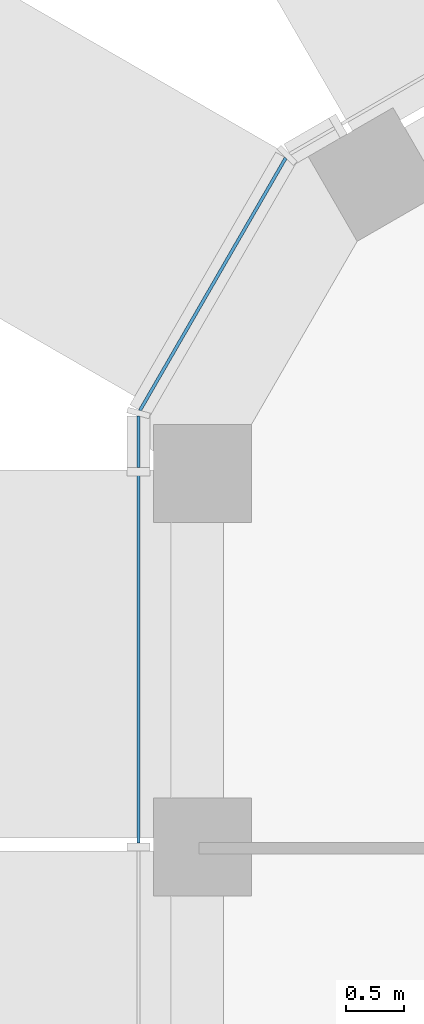
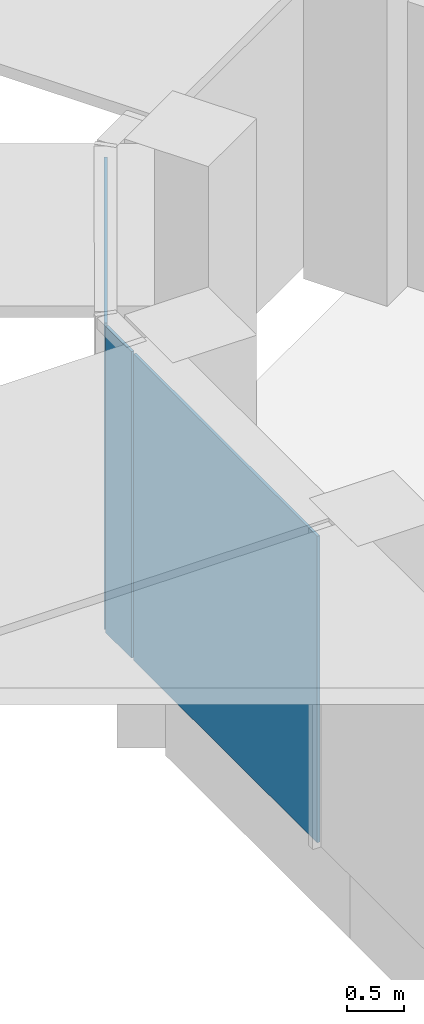
# One storey, part 8 of 17: 3 plates, 2 elements without a shape of their own.
"""IFC4 building model written with IfcOpenShell, lengths in metres."""

from ifc_helpers import new_model, si_unit, direction, frame, origin, origin_2d, place, context, subcontext, project, spatial, rectangle, extrude, material, layer, layer_set, type_object, element, aggregate, save


model = new_model("IFC4")

# Units and contexts
model_context = context("Model", 3, precision=1e-05, world=origin(), true_north=direction((0.0, 1.0)))
body_context = subcontext(model_context, "Body", "Model", "MODEL_VIEW")
ifc_project = project(units=[si_unit("LENGTHUNIT", "METRE"), si_unit("AREAUNIT", "SQUARE_METRE"), si_unit("VOLUMEUNIT", "CUBIC_METRE"), si_unit("PLANEANGLEUNIT", "RADIAN"), si_unit("MASSUNIT", "GRAM", prefix="KILO")], contexts=[model_context])

# Site, building, storey
site_placement = place(None, origin())
site = spatial("IfcSite", under=ifc_project, at=site_placement, CompositionType="ELEMENT")
building_placement = place(site_placement, origin())
building = spatial("IfcBuilding", under=site, at=building_placement, Name="Ayvan Gate Tower", CompositionType="ELEMENT")
storey_placement = place(building_placement, frame((0.0, 0.0, 225.699951171875)))
storey = spatial("IfcBuildingStorey", under=building, at=storey_placement, Name="L60", CompositionType="ELEMENT", Elevation=225.699951171875)

# Curtain wall, plate
ifc_material_1 = material(Name="Bronze anodised aluminium", Category="aluminium")
ifc_layer_1 = layer(ifc_material_1, 0.199951171875)
ifc_layer_set_1 = layer_set([ifc_layer_1], Name="Bronze anodised aluminium")
curtain_wall_type_1 = type_object("IfcCurtainWallType", Name="Stick curtain wall CW-2", PredefinedType="NOTDEFINED", material=ifc_layer_set_1)
curtain_wall_1_placement = place(storey_placement, origin())
curtain_wall_1 = element("IfcCurtainWall", 1, at=curtain_wall_1_placement, inside=storey, type_object=curtain_wall_type_1, Name="Stick curtain wall CW-2 L60", PredefinedType="NOTDEFINED")
ifc_material_2 = material(Name="Clear low-iron laminated glass", Category="glass")
ifc_layer_2 = layer(ifc_material_2, 0.028076171875)
ifc_layer_set_2 = layer_set([ifc_layer_2], Name="Clear low-iron laminated glass")
plate_type_1 = type_object("IfcPlateType", Name="Stick curtain wall CW-2 glass panel", PredefinedType="CURTAIN_PANEL", material=ifc_layer_set_2)
plate_1_placement = place(storey_placement, frame((-17.293701171875, 6.509033203125, 0.0), z_axis=(0.0, 0.0, 1.0), x_axis=(0.0, -1.0, 0.0)))
plate_1 = element("IfcPlate", 2, at=plate_1_placement, type_object=plate_type_1, Name="CW-2 glass panel 1", PredefinedType="CURTAIN_PANEL", context=body_context, shape_type="SweptSolid", body=[
    extrude(rectangle(XDim=3.222900390625, YDim=0.028076171875, at=origin_2d()), origin(), (0.0, 0.0, 1.0), 3.280029296875),
])
aggregate(curtain_wall_1, [plate_1])

# Curtain wall, plates
ifc_layer_3 = layer(ifc_material_1, 0.199951171875)
ifc_layer_set_3 = layer_set([ifc_layer_3], Name="Bronze anodised aluminium")
curtain_wall_type_2 = type_object("IfcCurtainWallType", Name="Stick curtain wall CW-6", PredefinedType="NOTDEFINED", material=ifc_layer_set_3)
curtain_wall_2_placement = place(storey_placement, origin())
curtain_wall_2 = element("IfcCurtainWall", 3, at=curtain_wall_2_placement, inside=storey, type_object=curtain_wall_type_2, Name="Stick curtain wall CW-6 L60", PredefinedType="NOTDEFINED")
ifc_layer_4 = layer(ifc_material_2, 0.028076171875)
ifc_layer_set_4 = layer_set([ifc_layer_4], Name="Clear low-iron laminated glass")
plate_type_2 = type_object("IfcPlateType", Name="Stick curtain wall CW-6 glass panel", PredefinedType="CURTAIN_PANEL", material=ifc_layer_set_4)
plate_2_placement = place(storey_placement, frame((-16.648193359375, 9.748779296875, 0.0), z_axis=(0.0, 0.0, 1.0), x_axis=(-0.5, -0.866025403784, 0.0)))
plate_2 = element("IfcPlate", 4, at=plate_2_placement, type_object=plate_type_2, Name="CW-6 glass panel 2", PredefinedType="CURTAIN_PANEL", context=body_context, shape_type="SweptSolid", body=[
    extrude(rectangle(XDim=2.532470703125, YDim=0.028076171875, at=origin_2d()), origin(), (0.0, 0.0, 1.0), 3.280029296875),
])
plate_3_placement = place(storey_placement, frame((-17.293701171875, 8.380615234375, 0.0), z_axis=(0.0, 0.0, 1.0), x_axis=(0.0, -1.0, 0.0)))
plate_3 = element("IfcPlate", 5, at=plate_3_placement, type_object=plate_type_2, Name="CW-6 glass panel 3", PredefinedType="CURTAIN_PANEL", context=body_context, shape_type="SweptSolid", body=[
    extrude(rectangle(XDim=0.449951171875, YDim=0.028076171875, at=origin_2d()), origin(), (0.0, 0.0, 1.0), 3.280029296875),
])
aggregate(curtain_wall_2, [plate_2, plate_3])

save(model, "model.ifc")
